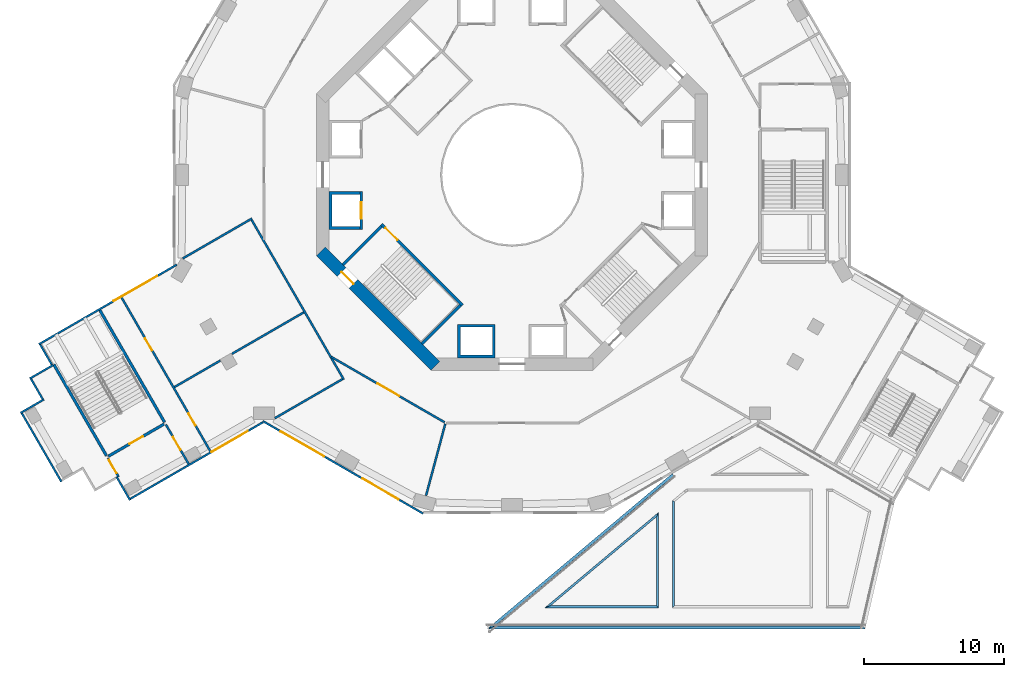
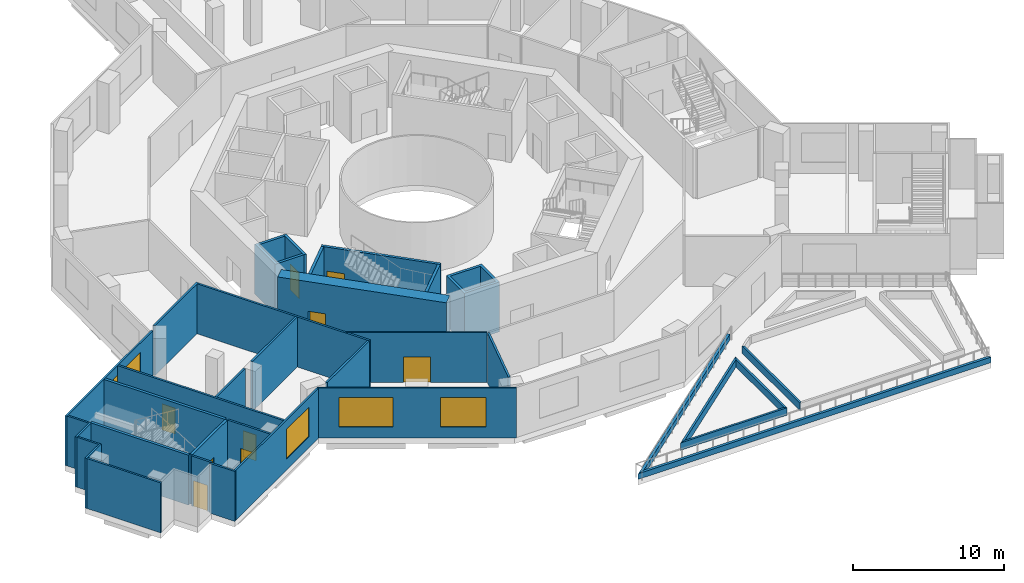
# One storey, part 3 of 21: 35 walls, 9 doors, 4 windows, 13 openings.
"""IFC4 building model written with IfcOpenShell, lengths in metres."""

import ifcopenshell
import ifcopenshell.guid

model = None  # the IFC model being written
_history = None  # IfcOwnerHistory: only IFC2X3 demands one
_inside = {}  # id of a spatial element -> (the spatial element, [elements in it])
_under = {}  # id of a project, library or spatial element -> (it, [spatial elements below it])
_declared = {}  # id of a project -> (the project, [libraries it declares])
_typed = {}  # id of a type object -> (the type object, [elements of that type])
_made_of = {}  # id of a material, layer set ... -> (it, [elements and type objects made of it])


def new_model(schema):
    """Start an empty IFC model of exactly this schema.

    Asked for "IFC4X3", IfcOpenShell would pick the latest addendum, in which some entities
    have other attributes; the version numbers below select the first issue.
    IFC2X3 requires an IfcOwnerHistory on every rooted entity: one is made here for all.
    """
    global model, _history
    if schema == "IFC4X3":
        model = ifcopenshell.file(schema_version=(4, 3, 0, 0))
    else:
        model = ifcopenshell.file(schema=schema)
    _inside.clear()
    _under.clear()
    _declared.clear()
    _typed.clear()
    _made_of.clear()
    _history = None
    if model.schema == "IFC2X3":
        org = make("IfcOrganization", Name="unknown")
        user = make(
            "IfcPersonAndOrganization",
            ThePerson=make("IfcPerson", FamilyName="unknown"),
            TheOrganization=org,
        )
        app = make(
            "IfcApplication",
            ApplicationDeveloper=org,
            Version="unknown",
            ApplicationFullName="unknown",
            ApplicationIdentifier="unknown",
        )
        _history = make(
            "IfcOwnerHistory",
            OwningUser=user,
            OwningApplication=app,
            ChangeAction="ADDED",
            CreationDate=0,
        )
    return model


def make(cls, **values):
    """One entity of the class cls with the attributes given. An attribute that is None is left unset."""
    return model.create_entity(
        cls, **{name: value for name, value in values.items() if value is not None}
    )


def rooted(cls, **values):
    """An entity with a GlobalId (a new one), such as an element, a storey or a relation."""
    return make(cls, GlobalId=ifcopenshell.guid.new(), OwnerHistory=_history, **values)


def si_unit(unit_type, name, prefix=None):
    """IfcSIUnit, for example si_unit("LENGTHUNIT", "METRE", prefix="MILLI")."""
    return make("IfcSIUnit", UnitType=unit_type, Prefix=prefix, Name=name)


def assignment(units):
    """IfcUnitAssignment: the units of a project."""
    return None if units is None else make("IfcUnitAssignment", Units=units)


def point(xyz):
    """IfcCartesianPoint."""
    return None if xyz is None else make("IfcCartesianPoint", Coordinates=xyz)


def direction(xyz):
    """IfcDirection."""
    return None if xyz is None else make("IfcDirection", DirectionRatios=xyz)


def frame(location, z_axis=None, x_axis=None):
    """IfcAxis2Placement3D, a coordinate frame: its origin and axes. An axis left out is left unset."""
    return make(
        "IfcAxis2Placement3D",
        Location=point(location),
        Axis=direction(z_axis),
        RefDirection=direction(x_axis),
    )


def frame_2d(location, x_axis=None):
    """IfcAxis2Placement2D, a coordinate frame in the plane: its origin and x axis."""
    return make(
        "IfcAxis2Placement2D", Location=point(location), RefDirection=direction(x_axis)
    )


def origin():
    """The frame at (0, 0, 0) with its axes left unset."""
    return frame((0.0, 0.0, 0.0))


def place(relative_to, where):
    """IfcLocalPlacement: puts the frame where relative to a parent placement (None: the world)."""
    return make(
        "IfcLocalPlacement", PlacementRelTo=relative_to, RelativePlacement=where
    )


def context(
    kind, dimensions, precision=None, world=None, true_north=None, identifier=None
):
    """IfcGeometricRepresentationContext, for example the 3D "Model" context."""
    return make(
        "IfcGeometricRepresentationContext",
        ContextIdentifier=identifier,
        ContextType=kind,
        CoordinateSpaceDimension=dimensions,
        Precision=precision,
        WorldCoordinateSystem=world,
        TrueNorth=true_north,
    )


def subcontext(parent, identifier, kind, view, scale=None):
    """IfcGeometricRepresentationSubContext, for example "Body" below "Model"."""
    return make(
        "IfcGeometricRepresentationSubContext",
        ContextIdentifier=identifier,
        ContextType=kind,
        ParentContext=parent,
        TargetScale=scale,
        TargetView=view,
    )


def project(units=None, contexts=None):
    """IfcProject with its units and contexts."""
    return rooted(
        "IfcProject",
        Name="project",
        RepresentationContexts=contexts,
        UnitsInContext=assignment(units),
    )


def spatial(cls, under=None, at=None, **own):
    """A site, building, storey or space (cls), placed at a placement, below another one or the project."""
    s = rooted(cls, ObjectPlacement=at, **own)
    if under is not None:
        _under.setdefault(under.id(), (under, []))[1].append(s)
    return s


def polyline(points):
    """IfcPolyline through the points."""
    return make("IfcPolyline", Points=[point(p) for p in points])


def profile(cls, at=None, kind="AREA", **sizes):
    """A parametric profile (cls). Its sizes go by their IFC names, for example OverallWidth=200.0."""
    return make(cls, ProfileType=kind, Position=at, **sizes)


def rectangle(**sizes):
    """IfcRectangleProfileDef."""
    return profile("IfcRectangleProfileDef", **sizes)


def outline(outer, holes=None, kind="AREA"):
    """IfcArbitraryClosedProfileDef: a profile drawn as a closed curve; with holes, ...WithVoids."""
    if holes is None:
        return make("IfcArbitraryClosedProfileDef", ProfileType=kind, OuterCurve=outer)
    return make(
        "IfcArbitraryProfileDefWithVoids",
        ProfileType=kind,
        OuterCurve=outer,
        InnerCurves=holes,
    )


def extrude(swept, where, along, depth):
    """IfcExtrudedAreaSolid: the profile swept, set in the frame where, extruded along a direction by depth."""
    return make(
        "IfcExtrudedAreaSolid",
        SweptArea=swept,
        Position=where,
        ExtrudedDirection=direction(along),
        Depth=depth,
    )


def shape(context_of_items, identifier, shape_type, items):
    """IfcShapeRepresentation: the items that make up one representation, for example the "Body"."""
    return make(
        "IfcShapeRepresentation",
        ContextOfItems=context_of_items,
        RepresentationIdentifier=identifier,
        RepresentationType=shape_type,
        Items=items,
    )


def material(Name=None, Category=None):
    """IfcMaterial."""
    return make("IfcMaterial", Name=Name, Category=Category)


def layer(
    of_material, thickness, ventilated=None, Name=None, Category=None, Priority=None
):
    """IfcMaterialLayer: one layer of a wall or slab, of a material (None: an air gap)."""
    return make(
        "IfcMaterialLayer",
        Material=of_material,
        LayerThickness=thickness,
        IsVentilated=ventilated,
        Name=Name,
        Category=Category,
        Priority=Priority,
    )


def layer_set(layers, Name=None):
    """IfcMaterialLayerSet."""
    return make("IfcMaterialLayerSet", MaterialLayers=layers, LayerSetName=Name)


def made_of(thing, what):
    """Note that an element or type object is made of a material, layer set ...; save() writes the relation."""
    if what is not None:
        _made_of.setdefault(what.id(), (what, []))[1].append(thing)
    return thing


def type_object(cls, material=None, **own):
    """A type object (cls), such as IfcWallType, which elements share."""
    return made_of(rooted(cls, **own), material)


def element(
    cls,
    number,
    at=None,
    inside=None,
    cuts=None,
    type_object=None,
    material=None,
    context=None,
    identifier="Body",
    shape_type=None,
    held_by="IfcProductDefinitionShape",
    body=None,
    shapes=None,
    **own,
):
    """One element of the class cls, such as IfcWall. Its Tag is "e" and its number.

    at: its placement. inside: the storey or other place that contains it. cuts: it is an
    opening in that element (IfcRelVoidsElement). A single representation is given by context,
    identifier, shape_type and body (its items); several are given by shapes. held_by: the class
    of the entity that holds the representations. save() writes the other relations.
    """
    e = rooted(cls, Tag="e%d" % number, ObjectPlacement=at, **own)
    if body is not None:
        shapes = [shape(context, identifier, shape_type, body)]
    if shapes is not None:
        e.Representation = make(held_by, Representations=shapes)
    if inside is not None:
        _inside.setdefault(inside.id(), (inside, []))[1].append(e)
    if cuts is not None:
        rooted(
            "IfcRelVoidsElement", RelatingBuildingElement=cuts, RelatedOpeningElement=e
        )
    if type_object is not None:
        _typed.setdefault(type_object.id(), (type_object, []))[1].append(e)
    return made_of(e, material)


def fill(opening, filler):
    """IfcRelFillsElement: the door or window that sits in an opening."""
    return rooted(
        "IfcRelFillsElement",
        RelatingOpeningElement=opening,
        RelatedBuildingElement=filler,
    )


def aggregate(whole, parts):
    """IfcRelAggregates: a whole, such as a stair, and the parts it consists of."""
    return rooted("IfcRelAggregates", RelatingObject=whole, RelatedObjects=parts)


def save(model, path):
    """Write the relations noted so far, then the file.

    IfcRelAggregates (storeys below a building ...), IfcRelContainedInSpatialStructure (elements
    in a storey), IfcRelDefinesByType, IfcRelAssociatesMaterial and IfcRelDeclares: one each for
    every whole, place, type object, material and project.
    """
    for whole, parts in _under.values():
        aggregate(whole, parts)
    for where, things in _inside.values():
        rooted(
            "IfcRelContainedInSpatialStructure",
            RelatedElements=things,
            RelatingStructure=where,
        )
    for kind, things in _typed.values():
        rooted("IfcRelDefinesByType", RelatedObjects=things, RelatingType=kind)
    for what, things in _made_of.values():
        rooted("IfcRelAssociatesMaterial", RelatedObjects=things, RelatingMaterial=what)
    for by, libraries in _declared.values():
        rooted("IfcRelDeclares", RelatingContext=by, RelatedDefinitions=libraries)
    model.write(path)


model = new_model("IFC4")

# Units and contexts
model_context = context("Model", 3, precision=1e-05, world=origin(), true_north=direction((0.0, 1.0)))
body_context = subcontext(model_context, "Body", "Model", "MODEL_VIEW")
ifc_project = project(units=[si_unit("LENGTHUNIT", "METRE"), si_unit("AREAUNIT", "SQUARE_METRE"), si_unit("VOLUMEUNIT", "CUBIC_METRE"), si_unit("PLANEANGLEUNIT", "RADIAN"), si_unit("MASSUNIT", "GRAM", prefix="KILO")], contexts=[model_context])

# Site, building, storey
site_placement = place(None, origin())
site = spatial("IfcSite", under=ifc_project, at=site_placement, CompositionType="ELEMENT")
building_placement = place(site_placement, origin())
building = spatial("IfcBuilding", under=site, at=building_placement, Name="Verdalira Terraces Hotel", CompositionType="ELEMENT")
storey_placement = place(building_placement, frame((0.0, 0.0, 19.0)))
storey = spatial("IfcBuildingStorey", under=building, at=storey_placement, Name="L03", CompositionType="ELEMENT", Elevation=19.0)

# Wall
ifc_material_1 = material(Name="Concrete C50", Category="concrete")
ifc_layer_1 = layer(ifc_material_1, 0.199951171875)
ifc_layer_set_1 = layer_set([ifc_layer_1], Name="Core RC wall 200 C50")
wall_type_1 = type_object("IfcWallType", Name="Core RC wall 200 C50", PredefinedType="SOLIDWALL", material=ifc_layer_set_1)
wall_1_placement = place(storey_placement, origin())
element("IfcWall", 1, at=wall_1_placement, inside=storey, type_object=wall_type_1, Name="L03 shaft wall W2", PredefinedType="SOLIDWALL", context=body_context, shape_type="SweptSolid", body=[
    extrude(outline(polyline([(-13.100098, -3.899902), (-13.100098, -1.199951), (-10.899902, -1.199951), (-10.899902, -1.399902), (-12.899902, -1.399902), (-12.899902, -3.699951), (-10.899902, -3.699951), (-10.899902, -3.899902), (-13.100098, -3.899902)])), origin(), (0.0, 0.0, 1.0), 4.050049),
])

# Wall, opening, door
wall_2_placement = place(storey_placement, frame((-10.800049, -1.199951, 0.0), z_axis=(0.0, 0.0, 1.0), x_axis=(0.0, -1.0, 0.0)))
wall_2 = element("IfcWall", 2, at=wall_2_placement, inside=storey, type_object=wall_type_1, Name="L03 shaft front wall W2", PredefinedType="SOLIDWALL", context=body_context, shape_type="SweptSolid", body=[
    extrude(rectangle(XDim=2.699951, YDim=0.199951, at=frame_2d((1.350098, 0.0))), origin(), (0.0, 0.0, 1.0), 4.050049),
])
opening_1_placement = place(wall_2_placement, frame((0.75, 0.0, 0.0)))
opening_1 = element("IfcOpeningElement", 3, at=opening_1_placement, cuts=wall_2, Name="Opening LD-L03-806", PredefinedType="OPENING", context=body_context, shape_type="SweptSolid", body=[
    extrude(rectangle(XDim=1.199951, YDim=2.100098, at=frame_2d((0.600098, 1.050049))), frame((0.0, 0.109863, 0.0), z_axis=(0.0, -1.0, 0.0), x_axis=(1.0, 0.0, 0.0)), (0.0, 0.0, 1.0), 0.219971),
])
ifc_material_2 = material(Name="Stainless steel", Category="steel")
door_type_1 = type_object("IfcDoorType", Name="Landing door 1200 x 2100", OperationType="NOTDEFINED", PredefinedType="DOOR", material=ifc_material_2)
door_1_placement = place(opening_1_placement, origin())
door_1 = element("IfcDoor", 4, at=door_1_placement, inside=storey, type_object=door_type_1, Name="Lift landing door LR6 L03", OperationType="DOUBLE_DOOR_SLIDING", OverallHeight=2.10009765625, OverallWidth=1.199951171875, PredefinedType="DOOR", context=body_context, shape_type="SweptSolid", body=[
    extrude(rectangle(XDim=1.199951, YDim=2.100098, at=frame_2d((0.600098, 1.050049))), frame((0.0, 0.024902, 0.0), z_axis=(0.0, -1.0, 0.0), x_axis=(1.0, 0.0, 0.0)), (0.0, 0.0, 1.0), 0.050049),
])
fill(opening_1, door_1)

# Wall
wall_3_placement = place(storey_placement, origin())
element("IfcWall", 5, at=wall_3_placement, inside=storey, type_object=wall_type_1, Name="L03 shaft wall S1", PredefinedType="SOLIDWALL", context=body_context, shape_type="SweptSolid", body=[
    extrude(outline(polyline([(-1.199951, -13.100098), (-3.899902, -13.100098), (-3.899902, -10.699951), (-1.199951, -10.699951), (-1.199951, -13.100098)]), holes=[polyline([(-3.699951, -10.899902), (-3.699951, -12.899902), (-1.399902, -12.899902), (-1.399902, -10.899902), (-3.699951, -10.899902)])]), origin(), (0.0, 0.0, 1.0), 4.050049),
])

# Wall, opening, door
wall_4_placement = place(storey_placement, frame((-3.5354, -9.33374, 0.0), z_axis=(0.0, 0.0, 1.0), x_axis=(-0.707106781, 0.707106781, 0.0)))
wall_4 = element("IfcWall", 6, at=wall_4_placement, inside=storey, type_object=wall_type_1, Name="L03 stair ST2 front wall", PredefinedType="SOLIDWALL", context=body_context, shape_type="SweptSolid", body=[
    extrude(rectangle(XDim=8.200195, YDim=0.199951, at=frame_2d((4.100098, 0.0))), origin(), (0.0, 0.0, 1.0), 4.050049),
])
opening_2_placement = place(wall_4_placement, frame((6.600098, 0.0, 0.0)))
opening_2 = element("IfcOpeningElement", 7, at=opening_2_placement, cuts=wall_4, Name="Opening L03-810", PredefinedType="OPENING", context=body_context, shape_type="SweptSolid", body=[
    extrude(rectangle(XDim=1.199951, YDim=2.100098, at=frame_2d((0.600098, 1.050049))), frame((0.0, 0.109863, 0.0), z_axis=(0.0, -1.0, 0.0), x_axis=(1.0, 0.0, 0.0)), (0.0, 0.0, 1.0), 0.219971),
])
ifc_material_3 = material(Name="Steel fire door", Category="steel")
door_type_2 = type_object("IfcDoorType", Name="Stair door 1200 x 2100", OperationType="NOTDEFINED", PredefinedType="DOOR", material=ifc_material_3)
door_2_placement = place(opening_2_placement, origin())
door_2 = element("IfcDoor", 8, at=door_2_placement, inside=storey, type_object=door_type_2, Name="Stair door ST2 L03", OperationType="SINGLE_SWING_RIGHT", OverallHeight=2.10009765625, OverallWidth=1.199951171875, PredefinedType="DOOR", context=body_context, shape_type="SweptSolid", body=[
    extrude(rectangle(XDim=1.199951, YDim=2.100098, at=frame_2d((0.600098, 1.050049))), frame((0.0, 0.024902, 0.0), z_axis=(0.0, -1.0, 0.0), x_axis=(1.0, 0.0, 0.0)), (0.0, 0.0, 1.0), 0.050049),
])
fill(opening_2, door_2)

# Walls
for number, where, z_axis, x_axis, name in (
    (9, (-9.33374, -3.677002, 0.0), (0.0, 0.0, 1.0), (-0.707106781, -0.707106781, 0.0), "L03 stair ST2 end wall 1"),
    (10, (-3.677002, -9.33374, 0.0), (0.0, 0.0, 1.0), (-0.707106781, -0.707106781, 0.0), "L03 stair ST2 end wall 2"),
):
    element("IfcWall", number, at=place(storey_placement, frame(where, z_axis=z_axis, x_axis=x_axis)), inside=storey, type_object=wall_type_1, Name=name, PredefinedType="SOLIDWALL", context=body_context, shape_type="SweptSolid", body=[
        extrude(rectangle(XDim=3.900146, YDim=0.199951, at=frame_2d((1.950195, 0.0))), origin(), (0.0, 0.0, 1.0), 4.050049),
    ])

# Wall, opening, door
ifc_material_4 = material(Name="Concrete C70", Category="concrete")
ifc_layer_2 = layer(ifc_material_4, 0.89990234375)
ifc_layer_set_2 = layer_set([ifc_layer_2], Name="Core wall 900 C70")
wall_type_2 = type_object("IfcWallType", Name="Core wall 900 C70", PredefinedType="SHEAR", material=ifc_layer_set_2)
wall_5_placement = place(storey_placement, frame((-13.681885, -5.480713, 0.0), z_axis=(0.0, 0.0, 1.0), x_axis=(0.707106781, -0.707106781, 0.0)))
wall_5 = element("IfcWall", 11, at=wall_5_placement, inside=storey, type_object=wall_type_2, Name="Core wall CW-L03-6", PredefinedType="SHEAR", context=body_context, shape_type="SweptSolid", body=[
    extrude(rectangle(XDim=11.598145, YDim=0.899902, at=frame_2d((5.799072, 0.0))), origin(), (0.0, 0.0, 1.0), 4.5),
])
opening_3_placement = place(wall_5_placement, frame((2.099121, 0.0, 0.0)))
opening_3 = element("IfcOpeningElement", 12, at=opening_3_placement, cuts=wall_5, Name="Opening L03-817", PredefinedType="OPENING", context=body_context, shape_type="SweptSolid", body=[
    extrude(rectangle(XDim=1.199951, YDim=2.100098, at=frame_2d((0.600098, 1.050049))), frame((0.0, 0.459961, 0.0), z_axis=(0.0, -1.0, 0.0), x_axis=(1.0, 0.0, 0.0)), (0.0, 0.0, 1.0), 0.919922),
])
door_3_placement = place(opening_3_placement, origin())
door_3 = element("IfcDoor", 13, at=door_3_placement, inside=storey, type_object=door_type_2, Name="Stair exit door ST2 L03", OperationType="SINGLE_SWING_LEFT", OverallHeight=2.10009765625, OverallWidth=1.199951171875, PredefinedType="DOOR", context=body_context, shape_type="SweptSolid", body=[
    extrude(rectangle(XDim=1.199951, YDim=2.100098, at=frame_2d((0.600098, 1.050049))), frame((0.0, 0.024902, 0.0), z_axis=(0.0, -1.0, 0.0), x_axis=(1.0, 0.0, 0.0)), (0.0, 0.0, 1.0), 0.050049),
])
fill(opening_3, door_3)

ifc_material_5 = material(Name="Gypsum board partition on steel stud", Category="steel")
ifc_layer_3 = layer(ifc_material_5, 0.14990234375)
ifc_layer_set_3 = layer_set([ifc_layer_3], Name="Fire-rated partition 150 mm")
wall_type_3 = type_object("IfcWallType", Name="Fire-rated partition 150 mm", PredefinedType="PARTITIONING", material=ifc_layer_set_3)
wall_6_placement = place(storey_placement, frame((-28.161621, -21.622803, 0.0), z_axis=(0.0, 0.0, 1.0), x_axis=(-0.499877454, 0.866096144, 0.0)))
wall_6 = element("IfcWall", 14, at=wall_6_placement, inside=storey, type_object=wall_type_3, Name="Partition", PredefinedType="PARTITIONING", context=body_context, shape_type="SweptSolid", body=[
    extrude(rectangle(XDim=1.54541, YDim=0.149902, at=frame_2d((0.772705, 0.0))), origin(), (0.0, 0.0, 1.0), 4.050049),
])
opening_4_placement = place(wall_6_placement, frame((0.29541, 0.0, 0.0)))
opening_4 = element("IfcOpeningElement", 15, at=opening_4_placement, cuts=wall_6, Name="Opening L03-D01", PredefinedType="OPENING", context=body_context, shape_type="SweptSolid", body=[
    extrude(rectangle(XDim=1.100098, YDim=2.100098, at=frame_2d((0.550049, 1.050049))), frame((0.0, 0.084961, 0.0), z_axis=(0.0, -1.0, 0.0), x_axis=(1.0, 0.0, 0.0)), (0.0, 0.0, 1.0), 0.169922),
])
ifc_material_6 = material(Name="Steel fire door", Category="steel")
door_type_3 = type_object("IfcDoorType", Name="Stair door 1100 x 2100", OperationType="SINGLE_SWING_LEFT", PredefinedType="DOOR", material=ifc_material_6)
door_4_placement = place(opening_4_placement, origin())
door_4 = element("IfcDoor", 16, at=door_4_placement, inside=storey, type_object=door_type_3, Name="Stair door Stair vestibule PS2", OperationType="SINGLE_SWING_RIGHT", OverallHeight=2.10009765625, OverallWidth=1.10009765625, PredefinedType="DOOR", context=body_context, shape_type="SweptSolid", body=[
    extrude(rectangle(XDim=1.100098, YDim=2.100098, at=frame_2d((0.550049, 1.050049))), frame((0.0, 0.024902, 0.0), z_axis=(0.0, -1.0, 0.0), x_axis=(1.0, 0.0, 0.0)), (0.0, 0.0, 1.0), 0.050049),
])
fill(opening_4, door_4)

wall_7_placement = place(storey_placement, frame((-24.777344, -17.884521, 0.0), z_axis=(0.0, 0.0, 1.0), x_axis=(0.499996863, -0.866027215, 0.0)))
wall_7 = element("IfcWall", 17, at=wall_7_placement, inside=storey, type_object=wall_type_3, Name="Partition", PredefinedType="PARTITIONING", context=body_context, shape_type="SweptSolid", body=[
    extrude(rectangle(XDim=3.260254, YDim=0.149902, at=frame_2d((1.630127, 0.0))), origin(), (0.0, 0.0, 1.0), 4.050049),
])
opening_5_placement = place(wall_7_placement, frame((1.010254, 0.0, 0.0)))
opening_5 = element("IfcOpeningElement", 18, at=opening_5_placement, cuts=wall_7, Name="Opening L03-D03", PredefinedType="OPENING", context=body_context, shape_type="SweptSolid", body=[
    extrude(rectangle(XDim=1.100098, YDim=2.100098, at=frame_2d((0.550049, 1.050049))), frame((0.0, 0.084961, 0.0), z_axis=(0.0, -1.0, 0.0), x_axis=(1.0, 0.0, 0.0)), (0.0, 0.0, 1.0), 0.169922),
])
door_5_placement = place(opening_5_placement, origin())
door_5 = element("IfcDoor", 19, at=door_5_placement, inside=storey, type_object=door_type_3, Name="Stair door Stair approach corridor", OperationType="SINGLE_SWING_RIGHT", OverallHeight=2.10009765625, OverallWidth=1.10009765625, PredefinedType="DOOR", context=body_context, shape_type="SweptSolid", body=[
    extrude(rectangle(XDim=1.100098, YDim=2.100098, at=frame_2d((0.550049, 1.050049))), frame((0.0, 0.024902, 0.0), z_axis=(0.0, -1.0, 0.0), x_axis=(1.0, 0.0, 0.0)), (0.0, 0.0, 1.0), 0.050049),
])
fill(opening_5, door_5)

# Wall, openings, doors
wall_8_placement = place(storey_placement, frame((-27.948242, -8.791992, 0.0), z_axis=(0.0, 0.0, 1.0), x_axis=(0.499991053, -0.866030569, 0.0)))
wall_8 = element("IfcWall", 20, at=wall_8_placement, inside=storey, type_object=wall_type_3, Name="Partition", PredefinedType="PARTITIONING", context=body_context, shape_type="SweptSolid", body=[
    extrude(rectangle(XDim=12.719971, YDim=0.149902, at=frame_2d((6.359863, 0.0))), origin(), (0.0, 0.0, 1.0), 4.050049),
])
opening_6_placement = place(wall_8_placement, frame((9.570068, 0.0, 0.0)))
opening_6 = element("IfcOpeningElement", 21, at=opening_6_placement, cuts=wall_8, Name="Opening L03-D04", PredefinedType="OPENING", context=body_context, shape_type="SweptSolid", body=[
    extrude(rectangle(XDim=1.0, YDim=2.100098, at=frame_2d((0.5, 1.050049))), frame((0.0, 0.084961, 0.0), z_axis=(0.0, -1.0, 0.0), x_axis=(1.0, 0.0, 0.0)), (0.0, 0.0, 1.0), 0.169922),
])
opening_7_placement = place(wall_8_placement, frame((3.370117, 0.0, 0.0)))
opening_7 = element("IfcOpeningElement", 22, at=opening_7_placement, cuts=wall_8, Name="Opening L03-D05", PredefinedType="OPENING", context=body_context, shape_type="SweptSolid", body=[
    extrude(rectangle(XDim=1.0, YDim=2.100098, at=frame_2d((0.5, 1.050049))), frame((0.0, 0.084961, 0.0), z_axis=(0.0, -1.0, 0.0), x_axis=(1.0, 0.0, 0.0)), (0.0, 0.0, 1.0), 0.169922),
])
ifc_material_7 = material(Name="Steel fire door", Category="steel")
door_type_4 = type_object("IfcDoorType", Name="Fire door 1000 x 2100", OperationType="SINGLE_SWING_LEFT", PredefinedType="DOOR", material=ifc_material_7)
door_6_placement = place(opening_6_placement, origin())
door_6 = element("IfcDoor", 23, at=door_6_placement, inside=storey, type_object=door_type_4, Name="Treatment room 301 door", OperationType="SINGLE_SWING_LEFT", OverallHeight=2.10009765625, OverallWidth=1.0, PredefinedType="DOOR", context=body_context, shape_type="SweptSolid", body=[
    extrude(rectangle(XDim=1.0, YDim=2.100098, at=frame_2d((0.5, 1.050049))), frame((0.0, 0.024902, 0.0), z_axis=(0.0, -1.0, 0.0), x_axis=(1.0, 0.0, 0.0)), (0.0, 0.0, 1.0), 0.050049),
])
fill(opening_6, door_6)
door_7_placement = place(opening_7_placement, origin())
door_7 = element("IfcDoor", 24, at=door_7_placement, inside=storey, type_object=door_type_4, Name="Treatment room 302 door", OperationType="SINGLE_SWING_RIGHT", OverallHeight=2.10009765625, OverallWidth=1.0, PredefinedType="DOOR", context=body_context, shape_type="SweptSolid", body=[
    extrude(rectangle(XDim=1.0, YDim=2.100098, at=frame_2d((0.5, 1.050049))), frame((0.0, 0.024902, 0.0), z_axis=(0.0, -1.0, 0.0), x_axis=(1.0, 0.0, 0.0)), (0.0, 0.0, 1.0), 0.050049),
])
fill(opening_7, door_7)

# Walls
wall_9_placement = place(storey_placement, frame((-18.614258, -3.125977, 0.0), z_axis=(0.0, 0.0, 1.0), x_axis=(-0.866030255, -0.499991598, 0.0)))
element("IfcWall", 25, at=wall_9_placement, inside=storey, type_object=wall_type_3, Name="Partition", PredefinedType="PARTITIONING", context=body_context, shape_type="SweptSolid", body=[
    extrude(rectangle(XDim=5.731934, YDim=0.149902, at=frame_2d((2.865967, 0.0))), origin(), (0.0, 0.0, 1.0), 4.050049),
])
wall_10_placement = place(storey_placement, frame((-18.641602, -3.228271, 0.0), z_axis=(0.0, 0.0, 1.0), x_axis=(0.499988223, -0.866032203, 0.0)))
element("IfcWall", 26, at=wall_10_placement, inside=storey, type_object=wall_type_3, Name="Partition", PredefinedType="PARTITIONING", context=body_context, shape_type="SweptSolid", body=[
    extrude(rectangle(XDim=13.199951, YDim=0.149902, at=frame_2d((6.600098, 0.0))), origin(), (0.0, 0.0, 1.0), 4.050049),
])
wall_11_placement = place(storey_placement, frame((-16.978271, -17.423584, 0.0), z_axis=(0.0, 0.0, 1.0), x_axis=(0.866008599, 0.500029105, 0.0)))
element("IfcWall", 27, at=wall_11_placement, inside=storey, type_object=wall_type_3, Name="Partition", PredefinedType="PARTITIONING", context=body_context, shape_type="SweptSolid", body=[
    extrude(rectangle(XDim=5.582275, YDim=0.149902, at=frame_2d((2.791016, 0.0))), origin(), (0.0, 0.0, 1.0), 4.050049),
])
wall_12_placement = place(storey_placement, frame((-20.886475, -13.300049, 0.0), z_axis=(0.0, 0.0, 1.0), x_axis=(-0.866012734, -0.500021944, 0.0)))
element("IfcWall", 28, at=wall_12_placement, inside=storey, type_object=wall_type_3, Name="Partition", PredefinedType="PARTITIONING", context=body_context, shape_type="SweptSolid", body=[
    extrude(rectangle(XDim=3.786865, YDim=0.149902, at=frame_2d((1.893555, 0.0))), origin(), (0.0, 0.0, 1.0), 4.050049),
])
wall_13_placement = place(storey_placement, frame((-14.906494, -9.847656, 0.0), z_axis=(0.0, 0.0, 1.0), x_axis=(-0.866038559, -0.499977214, 0.0)))
element("IfcWall", 29, at=wall_13_placement, inside=storey, type_object=wall_type_3, Name="Partition", PredefinedType="PARTITIONING", context=body_context, shape_type="SweptSolid", body=[
    extrude(rectangle(XDim=5.945068, YDim=0.149902, at=frame_2d((2.972656, 0.0))), origin(), (0.0, 0.0, 1.0), 4.050049),
])
wall_14_placement = place(storey_placement, frame((-6.15332, -22.9646, 0.0), z_axis=(0.0, 0.0, 1.0), x_axis=(0.258843233, 0.965919345, 0.0)))
element("IfcWall", 30, at=wall_14_placement, inside=storey, type_object=wall_type_3, Name="Partition", PredefinedType="PARTITIONING", context=body_context, shape_type="SweptSolid", body=[
    extrude(rectangle(XDim=5.314941, YDim=0.149902, at=frame_2d((2.657471, 0.0))), origin(), (0.0, 0.0, 1.0), 4.050049),
])

# Wall, opening, door
wall_15_placement = place(storey_placement, frame((-4.823242, -17.720703, 0.0), z_axis=(0.0, 0.0, 1.0), x_axis=(-0.866037142, 0.499979668, 0.0)))
wall_15 = element("IfcWall", 31, at=wall_15_placement, inside=storey, type_object=wall_type_3, Name="Partition", PredefinedType="PARTITIONING", context=body_context, shape_type="SweptSolid", body=[
    extrude(rectangle(XDim=9.366699, YDim=0.149902, at=frame_2d((4.68335, 0.0))), origin(), (0.0, 0.0, 1.0), 4.050049),
])
opening_8_placement = place(wall_15_placement, frame((3.75, 0.0, 0.0)))
opening_8 = element("IfcOpeningElement", 32, at=opening_8_placement, cuts=wall_15, Name="Opening L03-D12", PredefinedType="OPENING", context=body_context, shape_type="SweptSolid", body=[
    extrude(rectangle(XDim=1.800049, YDim=2.100098, at=frame_2d((0.899902, 1.050049))), frame((0.0, 0.084961, 0.0), z_axis=(0.0, -1.0, 0.0), x_axis=(1.0, 0.0, 0.0)), (0.0, 0.0, 1.0), 0.169922),
])
ifc_material_8 = material(Name="Steel fire door", Category="steel")
door_type_5 = type_object("IfcDoorType", Name="Fire door pair 1800 x 2100", OperationType="DOUBLE_DOOR_SINGLE_SWING", PredefinedType="DOOR", material=ifc_material_8)
door_8_placement = place(opening_8_placement, origin())
door_8 = element("IfcDoor", 33, at=door_8_placement, inside=storey, type_object=door_type_5, Name="Spa reception door", OperationType="DOUBLE_DOOR_SINGLE_SWING", OverallHeight=2.10009765625, OverallWidth=1.800048828125, PredefinedType="DOOR", context=body_context, shape_type="SweptSolid", body=[
    extrude(rectangle(XDim=1.800049, YDim=2.100098, at=frame_2d((0.899902, 1.050049))), frame((0.0, 0.024902, 0.0), z_axis=(0.0, -1.0, 0.0), x_axis=(1.0, 0.0, 0.0)), (0.0, 0.0, 1.0), 0.050049),
])
fill(opening_8, door_8)

# Wall
ifc_material_9 = material(Name="Concrete C50", Category="concrete")
ifc_layer_4 = layer(ifc_material_9, 0.199951171875)
ifc_layer_set_4 = layer_set([ifc_layer_4], Name="Stair enclosure wall 200 mm")
wall_type_4 = type_object("IfcWallType", Name="Stair enclosure wall 200 mm", PredefinedType="SOLIDWALL", material=ifc_layer_set_4)
wall_16_placement = place(storey_placement, frame((-32.806641, -13.577148, 0.0), z_axis=(0.0, 0.0, 1.0), x_axis=(0.50000534, -0.866022321, 0.0)))
element("IfcWall", 34, at=wall_16_placement, inside=storey, type_object=wall_type_4, Name="Stair enclosure wall", PredefinedType="SOLIDWALL", context=body_context, shape_type="SweptSolid", body=[
    extrude(rectangle(XDim=7.54541, YDim=0.199951, at=frame_2d((3.772705, 0.0))), origin(), (0.0, 0.0, 1.0), 4.050049),
])

# Wall, opening, door
wall_17_placement = place(storey_placement, frame((-24.913818, -17.848145, 0.0), z_axis=(0.0, 0.0, 1.0), x_axis=(-0.86601677, -0.500014953, 0.0)))
wall_17 = element("IfcWall", 35, at=wall_17_placement, inside=storey, type_object=wall_type_4, Name="Stair enclosure wall", PredefinedType="SOLIDWALL", context=body_context, shape_type="SweptSolid", body=[
    extrude(rectangle(XDim=4.599854, YDim=0.199951, at=frame_2d((2.299805, 0.0))), origin(), (0.0, 0.0, 1.0), 4.050049),
])
opening_9_placement = place(wall_17_placement, frame((1.75, 0.0, 0.0)))
opening_9 = element("IfcOpeningElement", 36, at=opening_9_placement, cuts=wall_17, Name="Opening L03-D02", PredefinedType="OPENING", context=body_context, shape_type="SweptSolid", body=[
    extrude(rectangle(XDim=1.100098, YDim=2.100098, at=frame_2d((0.550049, 1.050049))), frame((0.0, 0.109863, 0.0), z_axis=(0.0, -1.0, 0.0), x_axis=(1.0, 0.0, 0.0)), (0.0, 0.0, 1.0), 0.219971),
])
door_9_placement = place(opening_9_placement, origin())
door_9 = element("IfcDoor", 37, at=door_9_placement, inside=storey, type_object=door_type_3, Name="Stair door Stair lobby PS2", OperationType="SINGLE_SWING_LEFT", OverallHeight=2.10009765625, OverallWidth=1.10009765625, PredefinedType="DOOR", context=body_context, shape_type="SweptSolid", body=[
    extrude(rectangle(XDim=1.100098, YDim=2.100098, at=frame_2d((0.550049, 1.050049))), frame((0.0, 0.024902, 0.0), z_axis=(0.0, -1.0, 0.0), x_axis=(1.0, 0.0, 0.0)), (0.0, 0.0, 1.0), 0.050049),
])
fill(opening_9, door_9)

# Walls
wall_18_placement = place(storey_placement, frame((-24.877197, -17.71167, 0.0), z_axis=(0.0, 0.0, 1.0), x_axis=(-0.499984148, 0.866034555, 0.0)))
element("IfcWall", 38, at=wall_18_placement, inside=storey, type_object=wall_type_4, Name="Stair enclosure wall", PredefinedType="SOLIDWALL", context=body_context, shape_type="SweptSolid", body=[
    extrude(rectangle(XDim=9.26001, YDim=0.199951, at=frame_2d((4.629883, 0.0))), origin(), (0.0, 0.0, 1.0), 4.050049),
])
ifc_material_10 = material(Name="Concrete C40", Category="concrete")
ifc_layer_5 = layer(ifc_material_10, 0.14990234375)
ifc_layer_set_5 = layer_set([ifc_layer_5], Name="Terrace planter trough 150 x 600")
wall_type_5 = type_object("IfcWallType", Name="Terrace planter trough 150 x 600", PredefinedType="SOLIDWALL", material=ifc_layer_set_5)
wall_19_placement = place(storey_placement, origin())
element("IfcWall", 39, at=wall_19_placement, inside=storey, type_object=wall_type_5, Name="Terrace planting bed trough", PredefinedType="SOLIDWALL", context=body_context, shape_type="SweptSolid", body=[
    extrude(outline(polyline([(11.5, -23.321289), (11.5, -31.0), (11.649902, -30.850098), (11.649902, -23.391113), (11.5, -23.321289)])), origin(), (0.0, 0.0, 1.0), 0.600098),
])
wall_20_placement = place(storey_placement, origin())
element("IfcWall", 40, at=wall_20_placement, inside=storey, type_object=wall_type_5, Name="Terrace planting bed trough", PredefinedType="SOLIDWALL", context=body_context, shape_type="SweptSolid", body=[
    extrude(outline(polyline([(2.348877, -31.0), (10.5, -31.0), (10.350098, -30.850098), (2.760986, -30.850098), (2.348877, -31.0)])), origin(), (0.0, 0.0, 1.0), 0.600098),
])
wall_21_placement = place(storey_placement, origin())
element("IfcWall", 41, at=wall_21_placement, inside=storey, type_object=wall_type_5, Name="Terrace planting bed trough", PredefinedType="SOLIDWALL", context=body_context, shape_type="SweptSolid", body=[
    extrude(outline(polyline([(10.5, -31.0), (10.5, -24.1604), (10.350098, -24.481934), (10.350098, -30.850098), (10.5, -31.0)])), origin(), (0.0, 0.0, 1.0), 0.600098),
])
wall_22_placement = place(storey_placement, origin())
element("IfcWall", 42, at=wall_22_placement, inside=storey, type_object=wall_type_5, Name="Terrace planting bed trough", PredefinedType="SOLIDWALL", context=body_context, shape_type="SweptSolid", body=[
    extrude(outline(polyline([(10.5, -24.1604), (2.348877, -31.0), (2.760986, -30.850098), (10.350098, -24.481934), (10.5, -24.1604)])), origin(), (0.0, 0.0, 1.0), 0.600098),
])
ifc_material_11 = material(Name="Concrete C40", Category="concrete")
ifc_layer_6 = layer(ifc_material_11, 0.199951171875)
ifc_layer_set_6 = layer_set([ifc_layer_6], Name="Terrace upstand 200 x 450")
wall_type_6 = type_object("IfcWallType", Name="Terrace upstand 200 x 450", PredefinedType="SOLIDWALL", material=ifc_layer_set_6)
wall_23_placement = place(storey_placement, origin())
element("IfcWall", 43, at=wall_23_placement, inside=storey, type_object=wall_type_6, Name="Terrace upstand", PredefinedType="SOLIDWALL", context=body_context, shape_type="SweptSolid", body=[
    extrude(outline(polyline([(11.596436, -21.543457), (11.467773, -21.390137), (-1.772461, -32.5), (-1.2229, -32.300049), (11.596436, -21.543457)])), origin(), (0.0, 0.0, 1.0), 0.449951),
])
wall_24_placement = place(storey_placement, origin())
element("IfcWall", 44, at=wall_24_placement, inside=storey, type_object=wall_type_6, Name="Terrace upstand", PredefinedType="SOLIDWALL", context=body_context, shape_type="SweptSolid", body=[
    extrude(outline(polyline([(-1.2229, -32.300049), (-1.772461, -32.5), (25.286865, -32.5), (25.127686, -32.300049), (-1.2229, -32.300049)])), origin(), (0.0, 0.0, 1.0), 0.449951),
])

# Wall, opening, window
ifc_material_12 = material(Name="Concrete C40", Category="concrete")
ifc_layer_7 = layer(ifc_material_12, 0.139892578125)
ifc_layer_set_7 = layer_set([ifc_layer_7], Name="Terracotta clad concrete wall C40 140 mm")
wall_type_7 = type_object("IfcWallType", Name="Terracotta clad concrete wall C40 140 mm", PredefinedType="SOLIDWALL", material=ifc_layer_set_7)
wall_25_placement = place(storey_placement, frame((-23.995361, -6.428955, 0.0), z_axis=(0.0, 0.0, 1.0), x_axis=(-0.866018753, -0.500011519, 0.0)))
wall_25 = element("IfcWall", 45, at=wall_25_placement, inside=storey, type_object=wall_type_7, Name="Podium facade wall", PredefinedType="SOLIDWALL", context=body_context, shape_type="SweptSolid", body=[
    extrude(rectangle(XDim=11.405029, YDim=0.139893, at=frame_2d((5.702637, 0.0))), origin(), (0.0, 0.0, 1.0), 4.050049),
])
opening_10_placement = place(wall_25_placement, frame((1.623047, 0.0, 0.899902)))
opening_10 = element("IfcOpeningElement", 46, at=opening_10_placement, cuts=wall_25, Name="Opening WP", PredefinedType="OPENING", context=body_context, shape_type="SweptSolid", body=[
    extrude(rectangle(XDim=3.600098, YDim=2.399902, at=frame_2d((1.800049, 1.199951))), frame((0.0, 0.079834, 0.0), z_axis=(0.0, -1.0, 0.0), x_axis=(1.0, 0.0, 0.0)), (0.0, 0.0, 1.0), 0.159912),
])
ifc_material_13 = material(Name="Clear double glazing in aluminium frame", Category="aluminium")
window_type_1 = type_object("IfcWindowType", Name="Podium window 3600 x 2400", PartitioningType="SINGLE_PANEL", PredefinedType="WINDOW", material=ifc_material_13)
window_1_placement = place(opening_10_placement, origin())
window_1 = element("IfcWindow", 47, at=window_1_placement, inside=storey, type_object=window_type_1, Name="Podium window", OverallHeight=2.39990234375, OverallWidth=3.60009765625, PartitioningType="SINGLE_PANEL", PredefinedType="WINDOW", context=body_context, shape_type="SweptSolid", body=[
    extrude(rectangle(XDim=3.600098, YDim=2.399902, at=frame_2d((1.800049, 1.199951))), frame((0.0, 0.030029, 0.0), z_axis=(0.0, -1.0, 0.0), x_axis=(1.0, 0.0, 0.0)), (0.0, 0.0, 1.0), 0.060059),
])
fill(opening_10, window_1)

# Walls
wall_26_placement = place(storey_placement, frame((-33.776611, -12.156982, 0.0), z_axis=(0.0, 0.0, 1.0), x_axis=(0.499887958, -0.866090081, 0.0)))
element("IfcWall", 48, at=wall_26_placement, inside=storey, type_object=wall_type_7, Name="Podium facade wall", PredefinedType="SOLIDWALL", context=body_context, shape_type="SweptSolid", body=[
    extrude(rectangle(XDim=1.660156, YDim=0.139893, at=frame_2d((0.830078, 0.0))), origin(), (0.0, 0.0, 1.0), 4.050049),
])
wall_27_placement = place(storey_placement, frame((-32.851074, -13.620361, 0.0), z_axis=(0.0, 0.0, 1.0), x_axis=(-0.866011627, -0.500023862, 0.0)))
element("IfcWall", 49, at=wall_27_placement, inside=storey, type_object=wall_type_7, Name="Podium facade wall", PredefinedType="SOLIDWALL", context=body_context, shape_type="SweptSolid", body=[
    extrude(rectangle(XDim=1.939941, YDim=0.139893, at=frame_2d((0.969971, 0.0))), origin(), (0.0, 0.0, 1.0), 4.050049),
])
ifc_material_14 = material(Name="Terracotta cladding on steel stud backup", Category="masonry")
ifc_layer_8 = layer(ifc_material_14, 0.139892578125)
ifc_layer_set_8 = layer_set([ifc_layer_8], Name="Terracotta clad wall 140 mm")
wall_type_8 = type_object("IfcWallType", Name="Terracotta clad wall 140 mm", PredefinedType="SOLIDWALL", material=ifc_layer_set_8)
wall_28_placement = place(storey_placement, frame((-34.435547, -14.615967, 0.0), z_axis=(0.0, 0.0, 1.0), x_axis=(0.500061949, -0.865989634, 0.0)))
element("IfcWall", 50, at=wall_28_placement, inside=storey, type_object=wall_type_8, Name="Podium facade wall", PredefinedType="SOLIDWALL", context=body_context, shape_type="SweptSolid", body=[
    extrude(rectangle(XDim=1.659912, YDim=0.139893, at=frame_2d((0.830078, 0.0))), origin(), (0.0, 0.0, 1.0), 4.050049),
])
wall_29_placement = place(storey_placement, frame((-33.51001, -16.079102, 0.0), z_axis=(0.0, 0.0, 1.0), x_axis=(-0.866011627, -0.500023862, 0.0)))
element("IfcWall", 51, at=wall_29_placement, inside=storey, type_object=wall_type_8, Name="Podium facade wall", PredefinedType="SOLIDWALL", context=body_context, shape_type="SweptSolid", body=[
    extrude(rectangle(XDim=1.939941, YDim=0.139893, at=frame_2d((0.969971, 0.0))), origin(), (0.0, 0.0, 1.0), 4.050049),
])
wall_30_placement = place(storey_placement, frame((-35.094482, -17.074707, 0.0), z_axis=(0.0, 0.0, 1.0), x_axis=(0.499998748, -0.866026127, 0.0)))
element("IfcWall", 52, at=wall_30_placement, inside=storey, type_object=wall_type_8, Name="Podium facade wall", PredefinedType="SOLIDWALL", context=body_context, shape_type="SweptSolid", body=[
    extrude(rectangle(XDim=5.660156, YDim=0.139893, at=frame_2d((2.830078, 0.0))), origin(), (0.0, 0.0, 1.0), 4.050049),
])
wall_31_placement = place(storey_placement, frame((-28.31665, -21.614014, 0.0), z_axis=(0.0, 0.0, 1.0), x_axis=(0.499969368, -0.866043088, 0.0)))
element("IfcWall", 53, at=wall_31_placement, inside=storey, type_object=wall_type_8, Name="Podium facade wall", PredefinedType="SOLIDWALL", context=body_context, shape_type="SweptSolid", body=[
    extrude(rectangle(XDim=1.939941, YDim=0.139893, at=frame_2d((0.969971, 0.0))), origin(), (0.0, 0.0, 1.0), 4.050049),
])

# Wall, opening, window
wall_32_placement = place(storey_placement, frame((-27.321045, -23.198486, 0.0), z_axis=(0.0, 0.0, 1.0), x_axis=(0.866030546, 0.499991093, 0.0)))
wall_32 = element("IfcWall", 54, at=wall_32_placement, inside=storey, type_object=wall_type_8, Name="Podium facade wall", PredefinedType="SOLIDWALL", context=body_context, shape_type="SweptSolid", body=[
    extrude(rectangle(XDim=10.961182, YDim=0.139893, at=frame_2d((5.480469, 0.0))), origin(), (0.0, 0.0, 1.0), 4.050049),
])
opening_11_placement = place(wall_32_placement, frame((6.702148, 0.0, 0.899902)))
opening_11 = element("IfcOpeningElement", 55, at=opening_11_placement, cuts=wall_32, Name="Opening WP", PredefinedType="OPENING", context=body_context, shape_type="SweptSolid", body=[
    extrude(rectangle(XDim=3.0, YDim=2.399902, at=frame_2d((1.5, 1.199951))), frame((0.0, 0.079834, 0.0), z_axis=(0.0, -1.0, 0.0), x_axis=(1.0, 0.0, 0.0)), (0.0, 0.0, 1.0), 0.159912),
])
ifc_material_15 = material(Name="Clear double glazing in aluminium frame", Category="aluminium")
window_type_2 = type_object("IfcWindowType", Name="Podium window 3000 x 2400", PartitioningType="SINGLE_PANEL", PredefinedType="WINDOW", material=ifc_material_15)
window_2_placement = place(opening_11_placement, origin())
window_2 = element("IfcWindow", 56, at=window_2_placement, inside=storey, type_object=window_type_2, Name="Podium window", OverallHeight=2.39990234375, OverallWidth=3.0, PartitioningType="SINGLE_PANEL", PredefinedType="WINDOW", context=body_context, shape_type="SweptSolid", body=[
    extrude(rectangle(XDim=3.0, YDim=2.399902, at=frame_2d((1.5, 1.199951))), frame((0.0, 0.030029, 0.0), z_axis=(0.0, -1.0, 0.0), x_axis=(1.0, 0.0, 0.0)), (0.0, 0.0, 1.0), 0.060059),
])
fill(opening_11, window_2)

# Wall, openings, windows
wall_33_placement = place(storey_placement, frame((-17.828369, -17.637207, 0.0), z_axis=(0.0, 0.0, 1.0), x_axis=(0.866029009, -0.499993756, 0.0)))
wall_33 = element("IfcWall", 57, at=wall_33_placement, inside=storey, type_object=wall_type_8, Name="Podium facade wall", PredefinedType="SOLIDWALL", context=body_context, shape_type="SweptSolid", body=[
    extrude(rectangle(XDim=13.242432, YDim=0.139893, at=frame_2d((6.621094, 0.0))), origin(), (0.0, 0.0, 1.0), 4.050049),
])
opening_12_placement = place(wall_33_placement, frame((1.460205, 0.0, 0.899902)))
opening_12 = element("IfcOpeningElement", 58, at=opening_12_placement, cuts=wall_33, Name="Opening WP", PredefinedType="OPENING", context=body_context, shape_type="SweptSolid", body=[
    extrude(rectangle(XDim=3.600098, YDim=2.399902, at=frame_2d((1.800049, 1.199951))), frame((0.0, 0.079834, 0.0), z_axis=(0.0, -1.0, 0.0), x_axis=(1.0, 0.0, 0.0)), (0.0, 0.0, 1.0), 0.159912),
])
opening_13_placement = place(wall_33_placement, frame((8.2146, 0.0, 0.899902)))
opening_13 = element("IfcOpeningElement", 59, at=opening_13_placement, cuts=wall_33, Name="Opening WP", PredefinedType="OPENING", context=body_context, shape_type="SweptSolid", body=[
    extrude(rectangle(XDim=3.0, YDim=2.399902, at=frame_2d((1.5, 1.199951))), frame((0.0, 0.079834, 0.0), z_axis=(0.0, -1.0, 0.0), x_axis=(1.0, 0.0, 0.0)), (0.0, 0.0, 1.0), 0.159912),
])
window_3_placement = place(opening_13_placement, origin())
window_3 = element("IfcWindow", 60, at=window_3_placement, inside=storey, type_object=window_type_2, Name="Podium window", OverallHeight=2.39990234375, OverallWidth=3.0, PartitioningType="SINGLE_PANEL", PredefinedType="WINDOW", context=body_context, shape_type="SweptSolid", body=[
    extrude(rectangle(XDim=3.0, YDim=2.399902, at=frame_2d((1.5, 1.199951))), frame((0.0, 0.030029, 0.0), z_axis=(0.0, -1.0, 0.0), x_axis=(1.0, 0.0, 0.0)), (0.0, 0.0, 1.0), 0.060059),
])
fill(opening_13, window_3)
window_4_placement = place(opening_12_placement, origin())
window_4 = element("IfcWindow", 61, at=window_4_placement, inside=storey, type_object=window_type_1, Name="Podium window", OverallHeight=2.39990234375, OverallWidth=3.60009765625, PartitioningType="SINGLE_PANEL", PredefinedType="WINDOW", context=body_context, shape_type="SweptSolid", body=[
    extrude(rectangle(XDim=3.600098, YDim=2.399902, at=frame_2d((1.800049, 1.199951))), frame((0.0, 0.030029, 0.0), z_axis=(0.0, -1.0, 0.0), x_axis=(1.0, 0.0, 0.0)), (0.0, 0.0, 1.0), 0.060059),
])
fill(opening_12, window_4)

save(model, "model.ifc")
